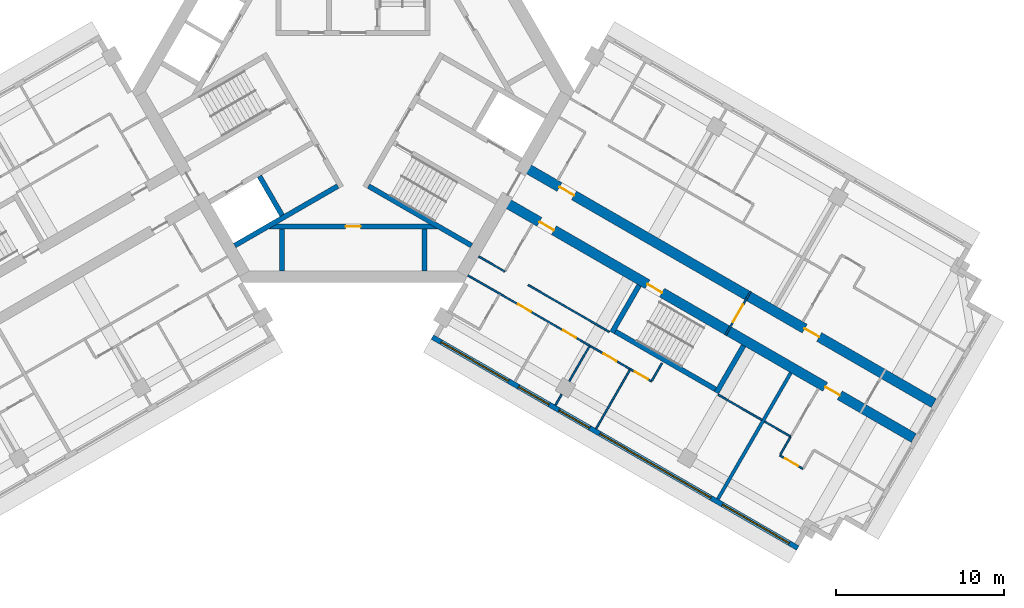
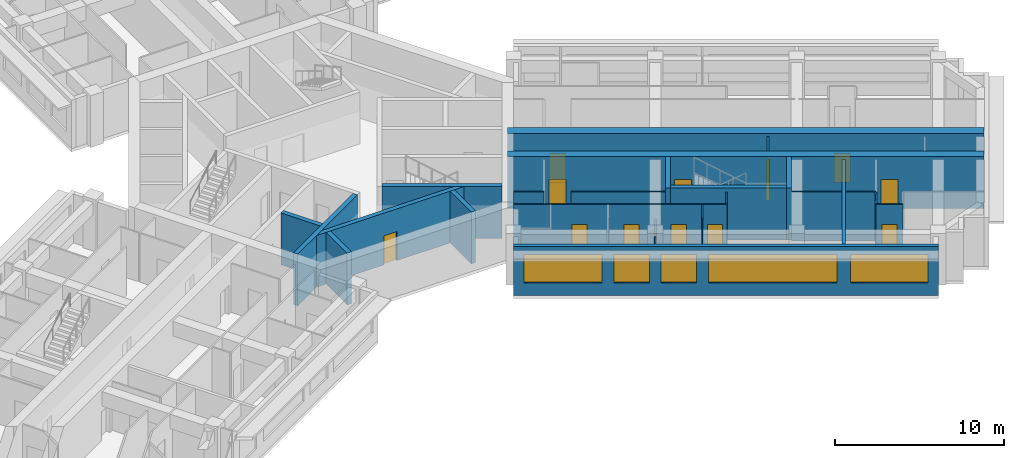
# One storey, part 5 of 11: 25 walls, 12 doors, 5 windows, 17 openings.
"""IFC4 building model written with IfcOpenShell, lengths in metres."""

import ifcopenshell
import ifcopenshell.guid

model = None  # the IFC model being written
_history = None  # IfcOwnerHistory: only IFC2X3 demands one
_inside = {}  # id of a spatial element -> (the spatial element, [elements in it])
_under = {}  # id of a project, library or spatial element -> (it, [spatial elements below it])
_declared = {}  # id of a project -> (the project, [libraries it declares])
_typed = {}  # id of a type object -> (the type object, [elements of that type])
_made_of = {}  # id of a material, layer set ... -> (it, [elements and type objects made of it])


def new_model(schema):
    """Start an empty IFC model of exactly this schema.

    Asked for "IFC4X3", IfcOpenShell would pick the latest addendum, in which some entities
    have other attributes; the version numbers below select the first issue.
    IFC2X3 requires an IfcOwnerHistory on every rooted entity: one is made here for all.
    """
    global model, _history
    if schema == "IFC4X3":
        model = ifcopenshell.file(schema_version=(4, 3, 0, 0))
    else:
        model = ifcopenshell.file(schema=schema)
    _inside.clear()
    _under.clear()
    _declared.clear()
    _typed.clear()
    _made_of.clear()
    _history = None
    if model.schema == "IFC2X3":
        org = make("IfcOrganization", Name="unknown")
        user = make(
            "IfcPersonAndOrganization",
            ThePerson=make("IfcPerson", FamilyName="unknown"),
            TheOrganization=org,
        )
        app = make(
            "IfcApplication",
            ApplicationDeveloper=org,
            Version="unknown",
            ApplicationFullName="unknown",
            ApplicationIdentifier="unknown",
        )
        _history = make(
            "IfcOwnerHistory",
            OwningUser=user,
            OwningApplication=app,
            ChangeAction="ADDED",
            CreationDate=0,
        )
    return model


def make(cls, **values):
    """One entity of the class cls with the attributes given. An attribute that is None is left unset."""
    return model.create_entity(
        cls, **{name: value for name, value in values.items() if value is not None}
    )


def rooted(cls, **values):
    """An entity with a GlobalId (a new one), such as an element, a storey or a relation."""
    return make(cls, GlobalId=ifcopenshell.guid.new(), OwnerHistory=_history, **values)


def si_unit(unit_type, name, prefix=None):
    """IfcSIUnit, for example si_unit("LENGTHUNIT", "METRE", prefix="MILLI")."""
    return make("IfcSIUnit", UnitType=unit_type, Prefix=prefix, Name=name)


def assignment(units):
    """IfcUnitAssignment: the units of a project."""
    return None if units is None else make("IfcUnitAssignment", Units=units)


def point(xyz):
    """IfcCartesianPoint."""
    return None if xyz is None else make("IfcCartesianPoint", Coordinates=xyz)


def direction(xyz):
    """IfcDirection."""
    return None if xyz is None else make("IfcDirection", DirectionRatios=xyz)


def frame(location, z_axis=None, x_axis=None):
    """IfcAxis2Placement3D, a coordinate frame: its origin and axes. An axis left out is left unset."""
    return make(
        "IfcAxis2Placement3D",
        Location=point(location),
        Axis=direction(z_axis),
        RefDirection=direction(x_axis),
    )


def frame_2d(location, x_axis=None):
    """IfcAxis2Placement2D, a coordinate frame in the plane: its origin and x axis."""
    return make(
        "IfcAxis2Placement2D", Location=point(location), RefDirection=direction(x_axis)
    )


def origin():
    """The frame at (0, 0, 0) with its axes left unset."""
    return frame((0.0, 0.0, 0.0))


def place(relative_to, where):
    """IfcLocalPlacement: puts the frame where relative to a parent placement (None: the world)."""
    return make(
        "IfcLocalPlacement", PlacementRelTo=relative_to, RelativePlacement=where
    )


def context(
    kind, dimensions, precision=None, world=None, true_north=None, identifier=None
):
    """IfcGeometricRepresentationContext, for example the 3D "Model" context."""
    return make(
        "IfcGeometricRepresentationContext",
        ContextIdentifier=identifier,
        ContextType=kind,
        CoordinateSpaceDimension=dimensions,
        Precision=precision,
        WorldCoordinateSystem=world,
        TrueNorth=true_north,
    )


def subcontext(parent, identifier, kind, view, scale=None):
    """IfcGeometricRepresentationSubContext, for example "Body" below "Model"."""
    return make(
        "IfcGeometricRepresentationSubContext",
        ContextIdentifier=identifier,
        ContextType=kind,
        ParentContext=parent,
        TargetScale=scale,
        TargetView=view,
    )


def project(units=None, contexts=None):
    """IfcProject with its units and contexts."""
    return rooted(
        "IfcProject",
        Name="project",
        RepresentationContexts=contexts,
        UnitsInContext=assignment(units),
    )


def spatial(cls, under=None, at=None, **own):
    """A site, building, storey or space (cls), placed at a placement, below another one or the project."""
    s = rooted(cls, ObjectPlacement=at, **own)
    if under is not None:
        _under.setdefault(under.id(), (under, []))[1].append(s)
    return s


def profile(cls, at=None, kind="AREA", **sizes):
    """A parametric profile (cls). Its sizes go by their IFC names, for example OverallWidth=200.0."""
    return make(cls, ProfileType=kind, Position=at, **sizes)


def rectangle(**sizes):
    """IfcRectangleProfileDef."""
    return profile("IfcRectangleProfileDef", **sizes)


def extrude(swept, where, along, depth):
    """IfcExtrudedAreaSolid: the profile swept, set in the frame where, extruded along a direction by depth."""
    return make(
        "IfcExtrudedAreaSolid",
        SweptArea=swept,
        Position=where,
        ExtrudedDirection=direction(along),
        Depth=depth,
    )


def shape(context_of_items, identifier, shape_type, items):
    """IfcShapeRepresentation: the items that make up one representation, for example the "Body"."""
    return make(
        "IfcShapeRepresentation",
        ContextOfItems=context_of_items,
        RepresentationIdentifier=identifier,
        RepresentationType=shape_type,
        Items=items,
    )


def material(Name=None, Category=None):
    """IfcMaterial."""
    return make("IfcMaterial", Name=Name, Category=Category)


def layer(
    of_material, thickness, ventilated=None, Name=None, Category=None, Priority=None
):
    """IfcMaterialLayer: one layer of a wall or slab, of a material (None: an air gap)."""
    return make(
        "IfcMaterialLayer",
        Material=of_material,
        LayerThickness=thickness,
        IsVentilated=ventilated,
        Name=Name,
        Category=Category,
        Priority=Priority,
    )


def layer_set(layers, Name=None):
    """IfcMaterialLayerSet."""
    return make("IfcMaterialLayerSet", MaterialLayers=layers, LayerSetName=Name)


def made_of(thing, what):
    """Note that an element or type object is made of a material, layer set ...; save() writes the relation."""
    if what is not None:
        _made_of.setdefault(what.id(), (what, []))[1].append(thing)
    return thing


def type_object(cls, material=None, **own):
    """A type object (cls), such as IfcWallType, which elements share."""
    return made_of(rooted(cls, **own), material)


def element(
    cls,
    number,
    at=None,
    inside=None,
    cuts=None,
    type_object=None,
    material=None,
    context=None,
    identifier="Body",
    shape_type=None,
    held_by="IfcProductDefinitionShape",
    body=None,
    shapes=None,
    **own,
):
    """One element of the class cls, such as IfcWall. Its Tag is "e" and its number.

    at: its placement. inside: the storey or other place that contains it. cuts: it is an
    opening in that element (IfcRelVoidsElement). A single representation is given by context,
    identifier, shape_type and body (its items); several are given by shapes. held_by: the class
    of the entity that holds the representations. save() writes the other relations.
    """
    e = rooted(cls, Tag="e%d" % number, ObjectPlacement=at, **own)
    if body is not None:
        shapes = [shape(context, identifier, shape_type, body)]
    if shapes is not None:
        e.Representation = make(held_by, Representations=shapes)
    if inside is not None:
        _inside.setdefault(inside.id(), (inside, []))[1].append(e)
    if cuts is not None:
        rooted(
            "IfcRelVoidsElement", RelatingBuildingElement=cuts, RelatedOpeningElement=e
        )
    if type_object is not None:
        _typed.setdefault(type_object.id(), (type_object, []))[1].append(e)
    return made_of(e, material)


def fill(opening, filler):
    """IfcRelFillsElement: the door or window that sits in an opening."""
    return rooted(
        "IfcRelFillsElement",
        RelatingOpeningElement=opening,
        RelatedBuildingElement=filler,
    )


def aggregate(whole, parts):
    """IfcRelAggregates: a whole, such as a stair, and the parts it consists of."""
    return rooted("IfcRelAggregates", RelatingObject=whole, RelatedObjects=parts)


def save(model, path):
    """Write the relations noted so far, then the file.

    IfcRelAggregates (storeys below a building ...), IfcRelContainedInSpatialStructure (elements
    in a storey), IfcRelDefinesByType, IfcRelAssociatesMaterial and IfcRelDeclares: one each for
    every whole, place, type object, material and project.
    """
    for whole, parts in _under.values():
        aggregate(whole, parts)
    for where, things in _inside.values():
        rooted(
            "IfcRelContainedInSpatialStructure",
            RelatedElements=things,
            RelatingStructure=where,
        )
    for kind, things in _typed.values():
        rooted("IfcRelDefinesByType", RelatedObjects=things, RelatingType=kind)
    for what, things in _made_of.values():
        rooted("IfcRelAssociatesMaterial", RelatedObjects=things, RelatingMaterial=what)
    for by, libraries in _declared.values():
        rooted("IfcRelDeclares", RelatingContext=by, RelatedDefinitions=libraries)
    model.write(path)


model = new_model("IFC4")

# Units and contexts
model_context = context("Model", 3, precision=1e-05, world=origin(), true_north=direction((0.0, 1.0)))
body_context = subcontext(model_context, "Body", "Model", "MODEL_VIEW")
ifc_project = project(units=[si_unit("LENGTHUNIT", "METRE"), si_unit("AREAUNIT", "SQUARE_METRE"), si_unit("VOLUMEUNIT", "CUBIC_METRE"), si_unit("PLANEANGLEUNIT", "RADIAN"), si_unit("MASSUNIT", "GRAM", prefix="KILO")], contexts=[model_context])

# Site, building, storey
site_placement = place(None, origin())
site = spatial("IfcSite", under=ifc_project, at=site_placement, CompositionType="ELEMENT")
building_placement = place(site_placement, origin())
building = spatial("IfcBuilding", under=site, at=building_placement, Name="Impinga Residences", CompositionType="ELEMENT")
storey_placement = place(building_placement, frame((0.0, 0.0, 203.5)))
storey = spatial("IfcBuildingStorey", under=building, at=storey_placement, Name="L50", CompositionType="ELEMENT", Elevation=203.5)

# Wall, openings, doors
ifc_material_1 = material(Name="Concrete C60/75", Category="concrete")
ifc_layer_1 = layer(ifc_material_1, 0.60009765625)
ifc_layer_set_1 = layer_set([ifc_layer_1], Name="Concrete C60/75")
wall_type_1 = type_object("IfcWallType", Name="BW3 corridor buttress wall, L46 to L73 600", PredefinedType="SHEAR", material=ifc_layer_set_1)
wall_1_placement = place(storey_placement, frame((10.19677734375, -4.50146484375, 0.0), z_axis=(0.0, 0.0, 1.0), x_axis=(0.866026415941, -0.499998246889, 0.0)))
wall_1 = element("IfcWall", 1, at=wall_1_placement, inside=storey, type_object=wall_type_1, Name="Corridor wall BW3 EC L50", PredefinedType="SHEAR", context=body_context, shape_type="SweptSolid", body=[
    extrude(rectangle(XDim=28.25, YDim=0.60009765625, at=frame_2d((14.125, 0.0))), origin(), (0.0, 0.0, 1.0), 3.75),
])
opening_1_placement = place(wall_1_placement, frame((2.449951171875, 0.0, 0.0)))
opening_1 = element("IfcOpeningElement", 2, at=opening_1_placement, cuts=wall_1, Name="Opening D1", PredefinedType="OPENING", context=body_context, shape_type="SweptSolid", body=[
    extrude(rectangle(XDim=1.0, YDim=2.10009765625, at=frame_2d((0.5, 1.050048828125))), frame((0.0, 0.31005859375, 0.0), z_axis=(0.0, -1.0, 0.0), x_axis=(1.0, 0.0, 0.0)), (0.0, 0.0, 1.0), 0.6201171875),
])
opening_2_placement = place(wall_1_placement, frame((19.35009765625, 0.0, 0.0)))
opening_2 = element("IfcOpeningElement", 3, at=opening_2_placement, cuts=wall_1, Name="Opening D1", PredefinedType="OPENING", context=body_context, shape_type="SweptSolid", body=[
    extrude(rectangle(XDim=1.0, YDim=2.10009765625, at=frame_2d((0.5, 1.050048828125))), frame((0.0, 0.31005859375, 0.0), z_axis=(0.0, -1.0, 0.0), x_axis=(1.0, 0.0, 0.0)), (0.0, 0.0, 1.0), 0.6201171875),
])
ifc_material_2 = material(Name="Timber door set", Category="wood")
door_type_1 = type_object("IfcDoorType", Name="D1 apartment entrance door 1000x2100", OperationType="SINGLE_SWING_LEFT", PredefinedType="DOOR", material=ifc_material_2)
door_1_placement = place(opening_1_placement, origin())
door_1 = element("IfcDoor", 4, at=door_1_placement, inside=storey, type_object=door_type_1, Name="Apartment L50-EA1 entrance", OperationType="SINGLE_SWING_LEFT", OverallHeight=2.10009765625, OverallWidth=1.0, PredefinedType="DOOR", context=body_context, shape_type="SweptSolid", body=[
    extrude(rectangle(XDim=1.0, YDim=2.10009765625, at=frame_2d((0.5, 1.050048828125))), frame((0.0, 0.02490234375, 0.0), z_axis=(0.0, -1.0, 0.0), x_axis=(1.0, 0.0, 0.0)), (0.0, 0.0, 1.0), 0.050048828125),
])
fill(opening_1, door_1)
door_2_placement = place(opening_2_placement, origin())
door_2 = element("IfcDoor", 5, at=door_2_placement, inside=storey, type_object=door_type_1, Name="Apartment L50-EA2 entrance", OperationType="SINGLE_SWING_RIGHT", OverallHeight=2.10009765625, OverallWidth=1.0, PredefinedType="DOOR", context=body_context, shape_type="SweptSolid", body=[
    extrude(rectangle(XDim=1.0, YDim=2.10009765625, at=frame_2d((0.5, 1.050048828125))), frame((0.0, 0.02490234375, 0.0), z_axis=(0.0, -1.0, 0.0), x_axis=(1.0, 0.0, 0.0)), (0.0, 0.0, 1.0), 0.050048828125),
])
fill(opening_2, door_2)

wall_2_placement = place(storey_placement, frame((8.996826171875, -6.580078125, 0.0), z_axis=(0.0, 0.0, 1.0), x_axis=(0.866026415941, -0.499998246889, 0.0)))
wall_2 = element("IfcWall", 6, at=wall_2_placement, inside=storey, type_object=wall_type_1, Name="Corridor wall BW3 ED L50", PredefinedType="SHEAR", context=body_context, shape_type="SweptSolid", body=[
    extrude(rectangle(XDim=28.25, YDim=0.60009765625, at=frame_2d((14.125, 0.0))), origin(), (0.0, 0.0, 1.0), 3.75),
])
opening_3_placement = place(wall_2_placement, frame((9.89990234375, 0.0, 0.0)))
opening_3 = element("IfcOpeningElement", 7, at=opening_3_placement, cuts=wall_2, Name="Opening D5", PredefinedType="OPENING", context=body_context, shape_type="SweptSolid", body=[
    extrude(rectangle(XDim=1.0, YDim=2.10009765625, at=frame_2d((0.5, 1.050048828125))), frame((0.0, 0.31005859375, 0.0), z_axis=(0.0, -1.0, 0.0), x_axis=(1.0, 0.0, 0.0)), (0.0, 0.0, 1.0), 0.6201171875),
])
opening_4_placement = place(wall_2_placement, frame((2.449951171875, 0.0, 0.0)))
opening_4 = element("IfcOpeningElement", 8, at=opening_4_placement, cuts=wall_2, Name="Opening D1", PredefinedType="OPENING", context=body_context, shape_type="SweptSolid", body=[
    extrude(rectangle(XDim=1.0, YDim=2.10009765625, at=frame_2d((0.5, 1.050048828125))), frame((0.0, 0.31005859375, 0.0), z_axis=(0.0, -1.0, 0.0), x_axis=(1.0, 0.0, 0.0)), (0.0, 0.0, 1.0), 0.6201171875),
])
opening_5_placement = place(wall_2_placement, frame((22.14990234375, 0.0, 0.0)))
opening_5 = element("IfcOpeningElement", 9, at=opening_5_placement, cuts=wall_2, Name="Opening D1", PredefinedType="OPENING", context=body_context, shape_type="SweptSolid", body=[
    extrude(rectangle(XDim=1.0, YDim=2.10009765625, at=frame_2d((0.5, 1.050048828125))), frame((0.0, 0.31005859375, 0.0), z_axis=(0.0, -1.0, 0.0), x_axis=(1.0, 0.0, 0.0)), (0.0, 0.0, 1.0), 0.6201171875),
])
door_3_placement = place(opening_4_placement, origin())
door_3 = element("IfcDoor", 10, at=door_3_placement, inside=storey, type_object=door_type_1, Name="Apartment L50-EF1 entrance", OperationType="SINGLE_SWING_LEFT", OverallHeight=2.10009765625, OverallWidth=1.0, PredefinedType="DOOR", context=body_context, shape_type="SweptSolid", body=[
    extrude(rectangle(XDim=1.0, YDim=2.10009765625, at=frame_2d((0.5, 1.050048828125))), frame((0.0, 0.02490234375, 0.0), z_axis=(0.0, -1.0, 0.0), x_axis=(1.0, 0.0, 0.0)), (0.0, 0.0, 1.0), 0.050048828125),
])
fill(opening_4, door_3)
door_4_placement = place(opening_5_placement, origin())
door_4 = element("IfcDoor", 11, at=door_4_placement, inside=storey, type_object=door_type_1, Name="Apartment L50-EF2 entrance", OperationType="SINGLE_SWING_RIGHT", OverallHeight=2.10009765625, OverallWidth=1.0, PredefinedType="DOOR", context=body_context, shape_type="SweptSolid", body=[
    extrude(rectangle(XDim=1.0, YDim=2.10009765625, at=frame_2d((0.5, 1.050048828125))), frame((0.0, 0.02490234375, 0.0), z_axis=(0.0, -1.0, 0.0), x_axis=(1.0, 0.0, 0.0)), (0.0, 0.0, 1.0), 0.050048828125),
])
fill(opening_5, door_4)
door_type_2 = type_object("IfcDoorType", Name="D5 stair door 1000x2100", OperationType="SINGLE_SWING_LEFT", PredefinedType="DOOR", material=ifc_material_2)
door_5_placement = place(opening_3_placement, origin())
door_5 = element("IfcDoor", 12, at=door_5_placement, inside=storey, type_object=door_type_2, Name="Wing stair door E", OperationType="SINGLE_SWING_LEFT", OverallHeight=2.10009765625, OverallWidth=1.0, PredefinedType="DOOR", context=body_context, shape_type="SweptSolid", body=[
    extrude(rectangle(XDim=1.0, YDim=2.10009765625, at=frame_2d((0.5, 1.050048828125))), frame((0.0, 0.02490234375, 0.0), z_axis=(0.0, -1.0, 0.0), x_axis=(1.0, 0.0, 0.0)), (0.0, 0.0, 1.0), 0.050048828125),
])
fill(opening_3, door_5)

# Wall, opening, door
ifc_material_3 = material(Name="Concrete blockwork", Category="masonry")
ifc_layer_2 = layer(ifc_material_3, 0.10009765625)
ifc_layer_set_2 = layer_set([ifc_layer_2], Name="CP1 core room partition, blockwork 100")
wall_type_2 = type_object("IfcWallType", Name="CP1 core room partition, blockwork 100", PredefinedType="PARTITIONING", material=ifc_layer_set_2)
wall_3_placement = place(storey_placement, frame((23.724853515625, -11.965576171875, 0.0), z_axis=(0.0, 0.0, 1.0), x_axis=(-0.50002537861, -0.866010750942, 0.0)))
wall_3 = element("IfcWall", 13, at=wall_3_placement, inside=storey, type_object=wall_type_2, Name="Core room partition, blockwork L50:E:SCR", PredefinedType="PARTITIONING", context=body_context, shape_type="SweptSolid", body=[
    extrude(rectangle(XDim=2.999755859375, YDim=0.10009765625, at=frame_2d((1.5, 0.0))), origin(), (0.0, 0.0, 1.0), 3.530029296875),
])
opening_6_placement = place(wall_3_placement, frame((0.89990234375, 0.0, 0.0)))
opening_6 = element("IfcOpeningElement", 14, at=opening_6_placement, cuts=wall_3, Name="Opening D3", PredefinedType="OPENING", context=body_context, shape_type="SweptSolid", body=[
    extrude(rectangle(XDim=1.199951171875, YDim=2.10009765625, at=frame_2d((0.60009765625, 1.050048828125))), frame((0.0, 0.06005859375, 0.0), z_axis=(0.0, -1.0, 0.0), x_axis=(1.0, 0.0, 0.0)), (0.0, 0.0, 1.0), 0.1201171875),
])
door_type_3 = type_object("IfcDoorType", Name="D3 room door, leaf and a half 1200x2100", OperationType="DOUBLE_SWING_LEFT", PredefinedType="DOOR", material=ifc_material_2)
door_6_placement = place(opening_6_placement, origin())
door_6 = element("IfcDoor", 15, at=door_6_placement, inside=storey, type_object=door_type_3, Name="Corridor smoke door E", OperationType="DOUBLE_SWING_LEFT", OverallHeight=2.10009765625, OverallWidth=1.199951171875, PredefinedType="DOOR", context=body_context, shape_type="SweptSolid", body=[
    extrude(rectangle(XDim=1.199951171875, YDim=2.10009765625, at=frame_2d((0.60009765625, 1.050048828125))), frame((0.0, 0.02490234375, 0.0), z_axis=(0.0, -1.0, 0.0), x_axis=(1.0, 0.0, 0.0)), (0.0, 0.0, 1.0), 0.050048828125),
])
fill(opening_6, door_6)

# Wall, openings, windows
ifc_material_4 = material(Name="Terracotta rainscreen on blockwork", Category="masonry")
ifc_layer_3 = layer(ifc_material_4, 0.300048828125)
ifc_layer_set_3 = layer_set([ifc_layer_3], Name="EW1 external wall, terracotta rainscreen on blockwork 300")
wall_type_3 = type_object("IfcWallType", Name="EW1 external wall, terracotta rainscreen on blockwork 300", PredefinedType="SOLIDWALL", material=ifc_layer_set_3)
wall_4_placement = place(storey_placement, frame((26.548828125, -27.279052734375, 0.0), z_axis=(0.0, 0.0, 1.0), x_axis=(-0.866026832479, 0.499997525421, 0.0)))
wall_4 = element("IfcWall", 16, at=wall_4_placement, inside=storey, type_object=wall_type_3, Name="External wall EW1 L50", PredefinedType="SOLIDWALL", context=body_context, shape_type="SweptSolid", body=[
    extrude(rectangle(XDim=25.199951171875, YDim=0.300048828125, at=frame_2d((12.60009765625, 0.0))), origin(), (0.0, 0.0, 1.0), 3.530029296875),
])
opening_7_placement = place(wall_4_placement, frame((0.60009765625, 0.0, 0.89990234375)))
opening_7 = element("IfcOpeningElement", 17, at=opening_7_placement, cuts=wall_4, Name="Opening W3", PredefinedType="OPENING", context=body_context, shape_type="SweptSolid", body=[
    extrude(rectangle(XDim=4.60009765625, YDim=2.050048828125, at=frame_2d((2.300048828125, 1.02490234375))), frame((0.0, 0.159912109375, 0.0), z_axis=(0.0, -1.0, 0.0), x_axis=(1.0, 0.0, 0.0)), (0.0, 0.0, 1.0), 0.320068359375),
])
opening_8_placement = place(wall_4_placement, frame((6.0, 0.0, 0.89990234375)))
opening_8 = element("IfcOpeningElement", 18, at=opening_8_placement, cuts=wall_4, Name="Opening W13", PredefinedType="OPENING", context=body_context, shape_type="SweptSolid", body=[
    extrude(rectangle(XDim=7.64990234375, YDim=2.050048828125, at=frame_2d((3.824951171875, 1.02490234375))), frame((0.0, 0.159912109375, 0.0), z_axis=(0.0, -1.0, 0.0), x_axis=(1.0, 0.0, 0.0)), (0.0, 0.0, 1.0), 0.320068359375),
])
opening_9_placement = place(wall_4_placement, frame((14.35009765625, 0.0, 0.89990234375)))
opening_9 = element("IfcOpeningElement", 19, at=opening_9_placement, cuts=wall_4, Name="Opening W9", PredefinedType="OPENING", context=body_context, shape_type="SweptSolid", body=[
    extrude(rectangle(XDim=2.10009765625, YDim=2.050048828125, at=frame_2d((1.050048828125, 1.02490234375))), frame((0.0, 0.159912109375, 0.0), z_axis=(0.0, -1.0, 0.0), x_axis=(1.0, 0.0, 0.0)), (0.0, 0.0, 1.0), 0.320068359375),
])
opening_10_placement = place(wall_4_placement, frame((17.14990234375, 0.0, 0.89990234375)))
opening_10 = element("IfcOpeningElement", 20, at=opening_10_placement, cuts=wall_4, Name="Opening W9", PredefinedType="OPENING", context=body_context, shape_type="SweptSolid", body=[
    extrude(rectangle(XDim=2.10009765625, YDim=2.050048828125, at=frame_2d((1.050048828125, 1.02490234375))), frame((0.0, 0.159912109375, 0.0), z_axis=(0.0, -1.0, 0.0), x_axis=(1.0, 0.0, 0.0)), (0.0, 0.0, 1.0), 0.320068359375),
])
opening_11_placement = place(wall_4_placement, frame((19.949951171875, 0.0, 0.89990234375)))
opening_11 = element("IfcOpeningElement", 21, at=opening_11_placement, cuts=wall_4, Name="Opening W10", PredefinedType="OPENING", context=body_context, shape_type="SweptSolid", body=[
    extrude(rectangle(XDim=4.64990234375, YDim=2.050048828125, at=frame_2d((2.324951171875, 1.02490234375))), frame((0.0, 0.159912109375, 0.0), z_axis=(0.0, -1.0, 0.0), x_axis=(1.0, 0.0, 0.0)), (0.0, 0.0, 1.0), 0.320068359375),
])
ifc_material_5 = material(Name="Aluminium window, clear double glazing", Category="aluminium")
window_type_1 = type_object("IfcWindowType", Name="W10 ribbon window 4650x2050", PartitioningType="SINGLE_PANEL", PredefinedType="WINDOW", material=ifc_material_5)
window_1_placement = place(opening_11_placement, origin())
window_1 = element("IfcWindow", 22, at=window_1_placement, inside=storey, type_object=window_type_1, Name="Window L50", OverallHeight=2.050048828125, OverallWidth=4.64990234375, PartitioningType="SINGLE_PANEL", PredefinedType="WINDOW", context=body_context, shape_type="SweptSolid", body=[
    extrude(rectangle(XDim=4.64990234375, YDim=2.050048828125, at=frame_2d((2.324951171875, 1.02490234375))), frame((0.0, 0.030029296875, 0.0), z_axis=(0.0, -1.0, 0.0), x_axis=(1.0, 0.0, 0.0)), (0.0, 0.0, 1.0), 0.06005859375),
])
fill(opening_11, window_1)
window_type_2 = type_object("IfcWindowType", Name="W13 ribbon window 7650x2050", PartitioningType="SINGLE_PANEL", PredefinedType="WINDOW", material=ifc_material_5)
window_2_placement = place(opening_8_placement, origin())
window_2 = element("IfcWindow", 23, at=window_2_placement, inside=storey, type_object=window_type_2, Name="Window L50", OverallHeight=2.050048828125, OverallWidth=7.64990234375, PartitioningType="SINGLE_PANEL", PredefinedType="WINDOW", context=body_context, shape_type="SweptSolid", body=[
    extrude(rectangle(XDim=7.64990234375, YDim=2.050048828125, at=frame_2d((3.824951171875, 1.02490234375))), frame((0.0, 0.030029296875, 0.0), z_axis=(0.0, -1.0, 0.0), x_axis=(1.0, 0.0, 0.0)), (0.0, 0.0, 1.0), 0.06005859375),
])
fill(opening_8, window_2)
window_type_3 = type_object("IfcWindowType", Name="W3 ribbon window 4600x2050", PartitioningType="SINGLE_PANEL", PredefinedType="WINDOW", material=ifc_material_5)
window_3_placement = place(opening_7_placement, origin())
window_3 = element("IfcWindow", 24, at=window_3_placement, inside=storey, type_object=window_type_3, Name="Window L50", OverallHeight=2.050048828125, OverallWidth=4.60009765625, PartitioningType="SINGLE_PANEL", PredefinedType="WINDOW", context=body_context, shape_type="SweptSolid", body=[
    extrude(rectangle(XDim=4.60009765625, YDim=2.050048828125, at=frame_2d((2.300048828125, 1.02490234375))), frame((0.0, 0.030029296875, 0.0), z_axis=(0.0, -1.0, 0.0), x_axis=(1.0, 0.0, 0.0)), (0.0, 0.0, 1.0), 0.06005859375),
])
fill(opening_7, window_3)
window_type_4 = type_object("IfcWindowType", Name="W9 ribbon window 2100x2050", PartitioningType="SINGLE_PANEL", PredefinedType="WINDOW", material=ifc_material_5)
window_4_placement = place(opening_9_placement, origin())
window_4 = element("IfcWindow", 25, at=window_4_placement, inside=storey, type_object=window_type_4, Name="Window L50", OverallHeight=2.050048828125, OverallWidth=2.10009765625, PartitioningType="SINGLE_PANEL", PredefinedType="WINDOW", context=body_context, shape_type="SweptSolid", body=[
    extrude(rectangle(XDim=2.10009765625, YDim=2.050048828125, at=frame_2d((1.050048828125, 1.02490234375))), frame((0.0, 0.030029296875, 0.0), z_axis=(0.0, -1.0, 0.0), x_axis=(1.0, 0.0, 0.0)), (0.0, 0.0, 1.0), 0.06005859375),
])
fill(opening_9, window_4)
window_5_placement = place(opening_10_placement, origin())
window_5 = element("IfcWindow", 26, at=window_5_placement, inside=storey, type_object=window_type_4, Name="Window L50", OverallHeight=2.050048828125, OverallWidth=2.10009765625, PartitioningType="SINGLE_PANEL", PredefinedType="WINDOW", context=body_context, shape_type="SweptSolid", body=[
    extrude(rectangle(XDim=2.10009765625, YDim=2.050048828125, at=frame_2d((1.050048828125, 1.02490234375))), frame((0.0, 0.030029296875, 0.0), z_axis=(0.0, -1.0, 0.0), x_axis=(1.0, 0.0, 0.0)), (0.0, 0.0, 1.0), 0.06005859375),
])
fill(opening_10, window_5)

# Walls
ifc_material_6 = material(Name="Gypsum board on steel studs", Category="steel")
ifc_layer_4 = layer(ifc_material_6, 0.10009765625)
ifc_layer_set_4 = layer_set([ifc_layer_4], Name="Gypsum board on steel studs")
wall_type_4 = type_object("IfcWallType", Name="IP1 partition 100", PredefinedType="PARTITIONING", material=ifc_layer_set_4)
wall_5_placement = place(storey_placement, frame((7.5, -9.872802734375, 0.0), z_axis=(0.0, 0.0, 1.0), x_axis=(0.866047807691, -0.499961193289, 0.0)))
element("IfcWall", 27, at=wall_5_placement, inside=storey, type_object=wall_type_4, Name="Partition L50-EF1:DIV0", PredefinedType="PARTITIONING", context=body_context, shape_type="SweptSolid", body=[
    extrude(rectangle(XDim=1.800048828125, YDim=0.10009765625, at=frame_2d((0.89990234375, 0.0))), origin(), (0.0, 0.0, 1.0), 3.530029296875),
])
wall_6_placement = place(storey_placement, frame((10.444580078125, -11.57275390625, 0.0), z_axis=(0.0, 0.0, 1.0), x_axis=(0.866015695474, -0.500016814911, 0.0)))
element("IfcWall", 28, at=wall_6_placement, inside=storey, type_object=wall_type_4, Name="Partition L50-EF1:DIV1", PredefinedType="PARTITIONING", context=body_context, shape_type="SweptSolid", body=[
    extrude(rectangle(XDim=5.599853515625, YDim=0.10009765625, at=frame_2d((2.7998046875, 0.0))), origin(), (0.0, 0.0, 1.0), 3.530029296875),
])
wall_7_placement = place(storey_placement, frame((21.789306640625, -18.122802734375, 0.0), z_axis=(0.0, 0.0, 1.0), x_axis=(0.866031096941, -0.499990139034, 0.0)))
element("IfcWall", 29, at=wall_7_placement, inside=storey, type_object=wall_type_4, Name="Partition L50-EF1:DIV2", PredefinedType="PARTITIONING", context=body_context, shape_type="SweptSolid", body=[
    extrude(rectangle(XDim=3.0, YDim=0.10009765625, at=frame_2d((1.5, 0.0))), origin(), (0.0, 0.0, 1.0), 3.530029296875),
])

# Wall, openings, doors
wall_8_placement = place(storey_placement, frame((6.85009765625, -10.99853515625, 0.0), z_axis=(0.0, 0.0, 1.0), x_axis=(0.866024244478, -0.500002007972, 0.0)))
wall_8 = element("IfcWall", 30, at=wall_8_placement, inside=storey, type_object=wall_type_4, Name="Partition L50-EF1:STRIP", PredefinedType="PARTITIONING", context=body_context, shape_type="SweptSolid", body=[
    extrude(rectangle(XDim=12.64990234375, YDim=0.10009765625, at=frame_2d((6.324951171875, 0.0))), origin(), (0.0, 0.0, 1.0), 3.530029296875),
])
opening_12_placement = place(wall_8_placement, frame((3.449951171875, 0.0, 0.0)))
opening_12 = element("IfcOpeningElement", 31, at=opening_12_placement, cuts=wall_8, Name="Opening D2", PredefinedType="OPENING", context=body_context, shape_type="SweptSolid", body=[
    extrude(rectangle(XDim=0.89990234375, YDim=2.10009765625, at=frame_2d((0.449951171875, 1.050048828125))), frame((0.0, 0.06005859375, 0.0), z_axis=(0.0, -1.0, 0.0), x_axis=(1.0, 0.0, 0.0)), (0.0, 0.0, 1.0), 0.1201171875),
])
opening_13_placement = place(wall_8_placement, frame((6.550048828125, 0.0, 0.0)))
opening_13 = element("IfcOpeningElement", 32, at=opening_13_placement, cuts=wall_8, Name="Opening D2", PredefinedType="OPENING", context=body_context, shape_type="SweptSolid", body=[
    extrude(rectangle(XDim=0.89990234375, YDim=2.10009765625, at=frame_2d((0.449951171875, 1.050048828125))), frame((0.0, 0.06005859375, 0.0), z_axis=(0.0, -1.0, 0.0), x_axis=(1.0, 0.0, 0.0)), (0.0, 0.0, 1.0), 0.1201171875),
])
opening_14_placement = place(wall_8_placement, frame((9.35009765625, 0.0, 0.0)))
opening_14 = element("IfcOpeningElement", 33, at=opening_14_placement, cuts=wall_8, Name="Opening D2", PredefinedType="OPENING", context=body_context, shape_type="SweptSolid", body=[
    extrude(rectangle(XDim=0.89990234375, YDim=2.10009765625, at=frame_2d((0.449951171875, 1.050048828125))), frame((0.0, 0.06005859375, 0.0), z_axis=(0.0, -1.0, 0.0), x_axis=(1.0, 0.0, 0.0)), (0.0, 0.0, 1.0), 0.1201171875),
])
opening_15_placement = place(wall_8_placement, frame((11.5, 0.0, 0.0)))
opening_15 = element("IfcOpeningElement", 34, at=opening_15_placement, cuts=wall_8, Name="Opening D2", PredefinedType="OPENING", context=body_context, shape_type="SweptSolid", body=[
    extrude(rectangle(XDim=0.89990234375, YDim=2.10009765625, at=frame_2d((0.449951171875, 1.050048828125))), frame((0.0, 0.06005859375, 0.0), z_axis=(0.0, -1.0, 0.0), x_axis=(1.0, 0.0, 0.0)), (0.0, 0.0, 1.0), 0.1201171875),
])
door_type_4 = type_object("IfcDoorType", Name="D2 internal door 900x2100", OperationType="SINGLE_SWING_LEFT", PredefinedType="DOOR", material=ifc_material_2)
door_7_placement = place(opening_12_placement, origin())
door_7 = element("IfcDoor", 35, at=door_7_placement, inside=storey, type_object=door_type_4, Name="Apartment L50-EF1 room door", OperationType="SINGLE_SWING_LEFT", OverallHeight=2.10009765625, OverallWidth=0.89990234375, PredefinedType="DOOR", context=body_context, shape_type="SweptSolid", body=[
    extrude(rectangle(XDim=0.89990234375, YDim=2.10009765625, at=frame_2d((0.449951171875, 1.050048828125))), frame((0.0, 0.02490234375, 0.0), z_axis=(0.0, -1.0, 0.0), x_axis=(1.0, 0.0, 0.0)), (0.0, 0.0, 1.0), 0.050048828125),
])
fill(opening_12, door_7)
door_8_placement = place(opening_13_placement, origin())
door_8 = element("IfcDoor", 36, at=door_8_placement, inside=storey, type_object=door_type_4, Name="Apartment L50-EF1 room door", OperationType="SINGLE_SWING_RIGHT", OverallHeight=2.10009765625, OverallWidth=0.89990234375, PredefinedType="DOOR", context=body_context, shape_type="SweptSolid", body=[
    extrude(rectangle(XDim=0.89990234375, YDim=2.10009765625, at=frame_2d((0.449951171875, 1.050048828125))), frame((0.0, 0.02490234375, 0.0), z_axis=(0.0, -1.0, 0.0), x_axis=(1.0, 0.0, 0.0)), (0.0, 0.0, 1.0), 0.050048828125),
])
fill(opening_13, door_8)
door_9_placement = place(opening_14_placement, origin())
door_9 = element("IfcDoor", 37, at=door_9_placement, inside=storey, type_object=door_type_4, Name="Apartment L50-EF1 room door", OperationType="SINGLE_SWING_RIGHT", OverallHeight=2.10009765625, OverallWidth=0.89990234375, PredefinedType="DOOR", context=body_context, shape_type="SweptSolid", body=[
    extrude(rectangle(XDim=0.89990234375, YDim=2.10009765625, at=frame_2d((0.449951171875, 1.050048828125))), frame((0.0, 0.02490234375, 0.0), z_axis=(0.0, -1.0, 0.0), x_axis=(1.0, 0.0, 0.0)), (0.0, 0.0, 1.0), 0.050048828125),
])
fill(opening_14, door_9)
door_10_placement = place(opening_15_placement, origin())
door_10 = element("IfcDoor", 38, at=door_10_placement, inside=storey, type_object=door_type_4, Name="Apartment L50-EF1 room door", OperationType="SINGLE_SWING_RIGHT", OverallHeight=2.10009765625, OverallWidth=0.89990234375, PredefinedType="DOOR", context=body_context, shape_type="SweptSolid", body=[
    extrude(rectangle(XDim=0.89990234375, YDim=2.10009765625, at=frame_2d((0.449951171875, 1.050048828125))), frame((0.0, 0.02490234375, 0.0), z_axis=(0.0, -1.0, 0.0), x_axis=(1.0, 0.0, 0.0)), (0.0, 0.0, 1.0), 0.050048828125),
])
fill(opening_15, door_10)

# Walls
wall_9_placement = place(storey_placement, frame((18.43017578125, -16.240966796875, 0.0), z_axis=(0.0, 0.0, 1.0), x_axis=(-0.499880961361, -0.866094119867, 0.0)))
element("IfcWall", 39, at=wall_9_placement, inside=storey, type_object=wall_type_4, Name="Partition L50-EF1:SE1", PredefinedType="PARTITIONING", context=body_context, shape_type="SweptSolid", body=[
    extrude(rectangle(XDim=1.199951171875, YDim=0.10009765625, at=frame_2d((0.60009765625, 0.0))), origin(), (0.0, 0.0, 1.0), 3.530029296875),
])
wall_10_placement = place(storey_placement, frame((14.099609375, -15.241943359375, 0.0), z_axis=(0.0, 0.0, 1.0), x_axis=(-0.500001309137, -0.866024647952, 0.0)))
element("IfcWall", 40, at=wall_10_placement, inside=storey, type_object=wall_type_4, Name="Partition L50-EF1:OB2", PredefinedType="PARTITIONING", context=body_context, shape_type="SweptSolid", body=[
    extrude(rectangle(XDim=2.39990234375, YDim=0.10009765625, at=frame_2d((1.199951171875, 0.0))), origin(), (0.0, 0.0, 1.0), 2.47998046875),
])
wall_11_placement = place(storey_placement, frame((12.44970703125, -18.099609375, 0.0), z_axis=(0.0, 0.0, 1.0), x_axis=(-0.499919672301, -0.866071776036, 0.0)))
element("IfcWall", 41, at=wall_11_placement, inside=storey, type_object=wall_type_4, Name="Partition L50-EF1:OB2b", PredefinedType="PARTITIONING", context=body_context, shape_type="SweptSolid", body=[
    extrude(rectangle(XDim=0.75, YDim=0.10009765625, at=frame_2d((0.375, 0.0))), origin(), (0.0, 0.0, 1.0), 3.530029296875),
])
wall_12_placement = place(storey_placement, frame((16.5244140625, -16.641845703125, 0.0), z_axis=(0.0, 0.0, 1.0), x_axis=(-0.499990325971, -0.866030989016, 0.0)))
element("IfcWall", 42, at=wall_12_placement, inside=storey, type_object=wall_type_4, Name="Partition L50-EF1:OB3", PredefinedType="PARTITIONING", context=body_context, shape_type="SweptSolid", body=[
    extrude(rectangle(XDim=4.0498046875, YDim=0.10009765625, at=frame_2d((2.02490234375, 0.0))), origin(), (0.0, 0.0, 1.0), 3.530029296875),
])
wall_13_placement = place(storey_placement, frame((24.560791015625, -19.72265625, 0.0), z_axis=(0.0, 0.0, 1.0), x_axis=(0.865989075817, -0.500062916607, 0.0)))
element("IfcWall", 43, at=wall_13_placement, inside=storey, type_object=wall_type_4, Name="Partition L50-EF2:DIV0", PredefinedType="PARTITIONING", context=body_context, shape_type="SweptSolid", body=[
    extrude(rectangle(XDim=1.800048828125, YDim=0.10009765625, at=frame_2d((0.89990234375, 0.0))), origin(), (0.0, 0.0, 1.0), 3.530029296875),
])

# Wall, opening, door
wall_14_placement = place(storey_placement, frame((25.469482421875, -21.74853515625, 0.0), z_axis=(0.0, 0.0, 1.0), x_axis=(0.866028054938, -0.499995408039, 0.0)))
wall_14 = element("IfcWall", 44, at=wall_14_placement, inside=storey, type_object=wall_type_4, Name="Partition L50-EF2:STRIP", PredefinedType="PARTITIONING", context=body_context, shape_type="SweptSolid", body=[
    extrude(rectangle(XDim=1.60009765625, YDim=0.10009765625, at=frame_2d((0.800048828125, 0.0))), origin(), (0.0, 0.0, 1.0), 3.530029296875),
])
opening_16_placement = place(wall_14_placement, frame((0.35009765625, 0.0, 0.0)))
opening_16 = element("IfcOpeningElement", 45, at=opening_16_placement, cuts=wall_14, Name="Opening D2", PredefinedType="OPENING", context=body_context, shape_type="SweptSolid", body=[
    extrude(rectangle(XDim=0.89990234375, YDim=2.10009765625, at=frame_2d((0.449951171875, 1.050048828125))), frame((0.0, 0.06005859375, 0.0), z_axis=(0.0, -1.0, 0.0), x_axis=(1.0, 0.0, 0.0)), (0.0, 0.0, 1.0), 0.1201171875),
])
door_11_placement = place(opening_16_placement, origin())
door_11 = element("IfcDoor", 46, at=door_11_placement, inside=storey, type_object=door_type_4, Name="Apartment L50-EF2 room door", OperationType="SINGLE_SWING_LEFT", OverallHeight=2.10009765625, OverallWidth=0.89990234375, PredefinedType="DOOR", context=body_context, shape_type="SweptSolid", body=[
    extrude(rectangle(XDim=0.89990234375, YDim=2.10009765625, at=frame_2d((0.449951171875, 1.050048828125))), frame((0.0, 0.02490234375, 0.0), z_axis=(0.0, -1.0, 0.0), x_axis=(1.0, 0.0, 0.0)), (0.0, 0.0, 1.0), 0.050048828125),
])
fill(opening_16, door_11)

# Walls
wall_15_placement = place(storey_placement, frame((26.094482421875, -20.666015625, 0.0), z_axis=(0.0, 0.0, 1.0), x_axis=(-0.499880961361, -0.866094119867, 0.0)))
element("IfcWall", 47, at=wall_15_placement, inside=storey, type_object=wall_type_4, Name="Partition L50-EF2:SE0", PredefinedType="PARTITIONING", context=body_context, shape_type="SweptSolid", body=[
    extrude(rectangle(XDim=1.199951171875, YDim=0.10009765625, at=frame_2d((0.60009765625, 0.0))), origin(), (0.0, 0.0, 1.0), 3.530029296875),
])
ifc_layer_5 = layer(ifc_material_3, 0.199951171875)
ifc_layer_set_5 = layer_set([ifc_layer_5], Name="PW1 party wall between apartments 200")
wall_type_5 = type_object("IfcWallType", Name="PW1 party wall between apartments 200", PredefinedType="SOLIDWALL", material=ifc_layer_set_5)
wall_16_placement = place(storey_placement, frame((26.1240234375, -16.814697265625, 0.0), z_axis=(0.0, 0.0, 1.0), x_axis=(-0.499987231761, -0.866032775405, 0.0)))
element("IfcWall", 48, at=wall_16_placement, inside=storey, type_object=wall_type_5, Name="Party wall between apartments L50-EF1:PARTY", PredefinedType="SOLIDWALL", context=body_context, shape_type="SweptSolid", body=[
    extrude(rectangle(XDim=8.699951171875, YDim=0.199951171875, at=frame_2d((4.35009765625, 0.0))), origin(), (0.0, 0.0, 1.0), 3.530029296875),
])
ifc_layer_6 = layer(ifc_material_1, 0.300048828125)
ifc_layer_set_6 = layer_set([ifc_layer_6], Name="Concrete C60/75")
wall_type_6 = type_object("IfcWallType", Name="SE1 wing stair enclosure wall 300", PredefinedType="SOLIDWALL", material=ifc_layer_set_6)
for number, where, z_axis, x_axis, name in (
    (49, (17.07421875, -11.58984375, 0.0), (0.0, 0.0, 1.0), (-0.500017246033, -0.866015446554, 0.0), "Stair enclosure wall SE1 E END0 L50"),
    (50, (23.3095703125, -15.189697265625, 0.0), (0.0, 0.0, 1.0), (-0.499984717929, -0.866034226713, 0.0), "Stair enclosure wall SE1 E END1 L50"),
):
    element("IfcWall", number, at=place(storey_placement, frame(where, z_axis=z_axis, x_axis=x_axis)), inside=storey, type_object=wall_type_6, Name=name, PredefinedType="SOLIDWALL", context=body_context, shape_type="SweptSolid", body=[
        extrude(rectangle(XDim=3.25, YDim=0.300048828125, at=frame_2d((1.625, 0.0))), origin(), (0.0, 0.0, 1.0), 3.75),
    ])
wall_17_placement = place(storey_placement, frame((15.654052734375, -14.349365234375, 0.0), z_axis=(0.0, 0.0, 1.0), x_axis=(0.866013532718, -0.500020560727, 0.0)))
element("IfcWall", 51, at=wall_17_placement, inside=storey, type_object=wall_type_6, Name="Stair enclosure wall SE1 E OUT L50", PredefinedType="SOLIDWALL", context=body_context, shape_type="SweptSolid", body=[
    extrude(rectangle(XDim=6.900146484375, YDim=0.300048828125, at=frame_2d((3.4501953125, 0.0))), origin(), (0.0, 0.0, 1.0), 3.75),
])
ifc_material_7 = material(Name="Concrete C70/85", Category="concrete")
ifc_layer_7 = layer(ifc_material_7, 0.300048828125)
ifc_layer_set_7 = layer_set([ifc_layer_7], Name="Concrete C70/85")
wall_type_7 = type_object("IfcWallType", Name="SW5 core inner wall, stairs, shafts and lobbies 300", PredefinedType="SHEAR", material=ifc_layer_set_7)
wall_18_placement = place(storey_placement, frame((-0.918701171875, -5.668701171875, 0.0), z_axis=(0.0, 0.0, 1.0), x_axis=(-0.866025859768, -0.499999210213, 0.0)))
element("IfcWall", 52, at=wall_18_placement, inside=storey, type_object=wall_type_7, Name="Core wall SW5 W:FF-OUT L50", PredefinedType="SHEAR", context=body_context, shape_type="SweptSolid", body=[
    extrude(rectangle(XDim=7.1015625, YDim=0.300048828125, at=frame_2d((3.55078125, 0.0))), origin(), (0.0, 0.0, 1.0), 3.75),
])
wall_19_placement = place(storey_placement, frame((-4.2412109375, -7.413818359375, 0.0), z_axis=(0.0, 0.0, 1.0), x_axis=(-0.500048589285, 0.86599734893, 0.0)))
element("IfcWall", 53, at=wall_19_placement, inside=storey, type_object=wall_type_7, Name="Core wall SW5 W:FF-RS L50", PredefinedType="SHEAR", context=body_context, shape_type="SweptSolid", body=[
    extrude(rectangle(XDim=2.699951171875, YDim=0.300048828125, at=frame_2d((1.35009765625, 0.0))), origin(), (0.0, 0.0, 1.0), 3.75),
])
wall_20_placement = place(storey_placement, frame((0.918701171875, -5.668701171875, 0.0), z_axis=(0.0, 0.0, 1.0), x_axis=(0.866025859768, -0.499999210213, 0.0)))
element("IfcWall", 54, at=wall_20_placement, inside=storey, type_object=wall_type_7, Name="Core wall SW5 E:ST-OUT L50", PredefinedType="SHEAR", context=body_context, shape_type="SweptSolid", body=[
    extrude(rectangle(XDim=7.1015625, YDim=0.300048828125, at=frame_2d((3.55078125, 0.0))), origin(), (0.0, 0.0, 1.0), 3.75),
])

# Wall, opening, door
wall_21_placement = place(storey_placement, frame((5.09765625, -8.08154296875, 0.0), z_axis=(0.0, 0.0, 1.0), x_axis=(-1.0, 0.0, 0.0)))
wall_21 = element("IfcWall", 55, at=wall_21_placement, inside=storey, type_object=wall_type_7, Name="Core wall SW5 N:BANK-FRONT L50", PredefinedType="SHEAR", context=body_context, shape_type="SweptSolid", body=[
    extrude(rectangle(XDim=10.1953125, YDim=0.300048828125, at=frame_2d((5.09765625, 0.0))), origin(), (0.0, 0.0, 1.0), 3.75),
])
opening_17_placement = place(wall_21_placement, frame((4.647705078125, 0.0, 0.0)))
opening_17 = element("IfcOpeningElement", 56, at=opening_17_placement, cuts=wall_21, Name="Opening D6", PredefinedType="OPENING", context=body_context, shape_type="SweptSolid", body=[
    extrude(rectangle(XDim=0.89990234375, YDim=2.10009765625, at=frame_2d((0.449951171875, 1.050048828125))), frame((0.0, 0.159912109375, 0.0), z_axis=(0.0, -1.0, 0.0), x_axis=(1.0, 0.0, 0.0)), (0.0, 0.0, 1.0), 0.320068359375),
])
door_type_5 = type_object("IfcDoorType", Name="D6 riser and store door 900x2100", OperationType="SINGLE_SWING_LEFT", PredefinedType="DOOR", material=ifc_material_2)
door_12_placement = place(opening_17_placement, origin())
door_12 = element("IfcDoor", 57, at=door_12_placement, inside=storey, type_object=door_type_5, Name="IT and communications room door", OperationType="SINGLE_SWING_LEFT", OverallHeight=2.10009765625, OverallWidth=0.89990234375, PredefinedType="DOOR", context=body_context, shape_type="SweptSolid", body=[
    extrude(rectangle(XDim=0.89990234375, YDim=2.10009765625, at=frame_2d((0.449951171875, 1.050048828125))), frame((0.0, 0.02490234375, 0.0), z_axis=(0.0, -1.0, 0.0), x_axis=(1.0, 0.0, 0.0)), (0.0, 0.0, 1.0), 0.050048828125),
])
fill(opening_17, door_12)

# Walls
for number, where, z_axis, x_axis, name in (
    (58, (4.25, -8.2314453125, 0.0), (0.0, 0.0, 1.0), (0.0, -1.0, 0.0), "Core wall SW5 N:BANK-L L50"),
    (59, (-4.25, -8.2314453125, 0.0), (0.0, 0.0, 1.0), (0.0, -1.0, 0.0), "Core wall SW5 N:BANK-R L50"),
):
    element("IfcWall", number, at=place(storey_placement, frame(where, z_axis=z_axis, x_axis=x_axis)), inside=storey, type_object=wall_type_7, Name=name, PredefinedType="SHEAR", context=body_context, shape_type="SweptSolid", body=[
        extrude(rectangle(XDim=2.5, YDim=0.300048828125, at=frame_2d((1.25, 0.0))), origin(), (0.0, 0.0, 1.0), 3.75),
    ])

save(model, "model.ifc")
